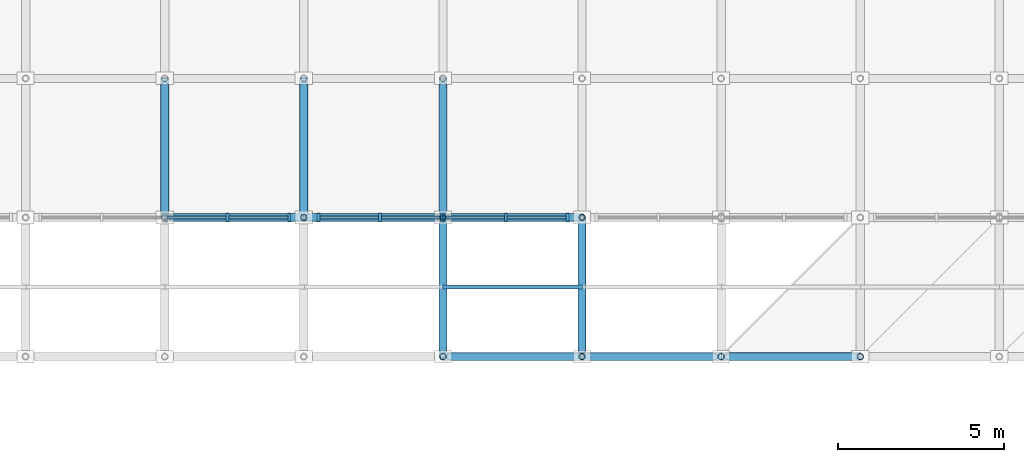
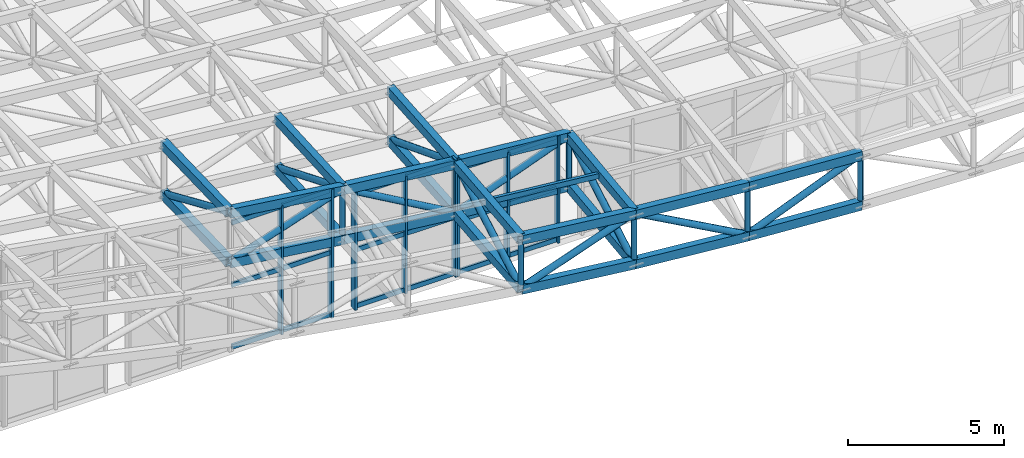
# One storey, part 24 of 111: 67 members, 3 elements without a shape of their own.
"""IFC4 building model written with IfcOpenShell, lengths in metres."""

from ifc_helpers import new_model, si_unit, direction, frame, origin, origin_2d, place, context, subcontext, project, spatial, rectangle, hollow_rectangle, hollow_circle, extrude, material, material_profile, profile_set, type_object, element, aggregate, save


model = new_model("IFC4")

# Units and contexts
model_context = context("Model", 3, precision=1e-05, world=origin(), true_north=direction((0.0, 1.0)))
body_context = subcontext(model_context, "Body", "Model", "MODEL_VIEW")
ifc_project = project(units=[si_unit("LENGTHUNIT", "METRE"), si_unit("AREAUNIT", "SQUARE_METRE"), si_unit("VOLUMEUNIT", "CUBIC_METRE"), si_unit("PLANEANGLEUNIT", "RADIAN"), si_unit("MASSUNIT", "GRAM", prefix="KILO")], contexts=[model_context])

# Site, building, storey
site_placement = place(None, origin())
site = spatial("IfcSite", under=ifc_project, at=site_placement, CompositionType="ELEMENT")
building_placement = place(site_placement, origin())
building = spatial("IfcBuilding", under=site, at=building_placement, Name="Cumbredor Promenade Congress Hotel", CompositionType="ELEMENT")
storey_placement = place(building_placement, frame((0.0, 0.0, 15.1201171875)))
storey = spatial("IfcBuildingStorey", under=building, at=storey_placement, Name="L04", CompositionType="ELEMENT", Elevation=15.1201171875)

# Curtain wall, members
ifc_material_1 = material(Name="Thermally broken anodized aluminium and low-E glass", Category="aluminium")
curtain_wall_type = type_object("IfcCurtainWallType", Name="Stepped Pavilion Clerestory Curtain Wall CW-06", PredefinedType="NOTDEFINED", material=ifc_material_1)
curtain_wall_1_placement = place(storey_placement, origin())
curtain_wall_1 = element("IfcCurtainWall", 1, at=curtain_wall_1_placement, inside=storey, type_object=curtain_wall_type, Name="Pre-Function and Breakout Meeting Forum S Glazed Clerestory 4", PredefinedType="NOTDEFINED")
ifc_material_2 = material(Name="Thermally broken anodized aluminium", Category="aluminium")
ifc_material_profile_1 = material_profile(ifc_material_2, rectangle(XDim=0.0849609375, YDim=0.260009765625, at=origin_2d()), Name="ALU MULLION CLERESTORY 85x260")
ifc_profile_set_1 = profile_set([ifc_material_profile_1], Name="Thermally broken anodized aluminium")
member_type_1 = type_object("IfcMemberType", Name="Curtain Wall Mullion ML-04", PredefinedType="MULLION", material=ifc_profile_set_1)
member_1_placement = place(storey_placement, frame((106.89990234375, 84.0, -0.01806640625), z_axis=(0.0, 0.0, 1.0), x_axis=(1.0, 0.0, 0.0)))
member_1 = element("IfcMember", 2, at=member_1_placement, type_object=member_type_1, Name="Pre-Function and Breakout Meeting Forum S Glazed Clerestory 4 Mullion 2", PredefinedType="MULLION", context=body_context, shape_type="SweptSolid", body=[
    extrude(rectangle(XDim=0.0849609375, YDim=0.260009765625, at=origin_2d()), origin(), (0.0, 0.0, 1.0), 5.064453125),
])
member_2_placement = place(storey_placement, frame((108.760009765625, 84.0, -0.01806640625), z_axis=(0.0, 0.0, 1.0), x_axis=(1.0, 0.0, 0.0)))
member_2 = element("IfcMember", 3, at=member_2_placement, type_object=member_type_1, Name="Pre-Function and Breakout Meeting Forum S Glazed Clerestory 4 Mullion 3", PredefinedType="MULLION", context=body_context, shape_type="SweptSolid", body=[
    extrude(rectangle(XDim=0.0849609375, YDim=0.260009765625, at=origin_2d()), origin(), (0.0, 0.0, 1.0), 5.064453125),
])

curtain_wall_2_placement = place(storey_placement, origin())
curtain_wall_2 = element("IfcCurtainWall", 4, at=curtain_wall_2_placement, inside=storey, type_object=curtain_wall_type, Name="Pre-Function and Breakout Meeting Forum S Glazed Clerestory 5", PredefinedType="NOTDEFINED")
member_3_placement = place(storey_placement, frame((109.639892578125, 84.0, -0.01806640625), z_axis=(0.0, 0.0, 1.0), x_axis=(1.0, 0.0, 0.0)))
member_3 = element("IfcMember", 5, at=member_3_placement, type_object=member_type_1, Name="Pre-Function and Breakout Meeting Forum S Glazed Clerestory 5 Mullion 1", PredefinedType="MULLION", context=body_context, shape_type="SweptSolid", body=[
    extrude(rectangle(XDim=0.0849609375, YDim=0.260009765625, at=origin_2d()), origin(), (0.0, 0.0, 1.0), 4.600830078125),
])
member_4_placement = place(storey_placement, frame((111.5, 84.0, -0.01806640625), z_axis=(0.0, 0.0, 1.0), x_axis=(1.0, 0.0, 0.0)))
member_4 = element("IfcMember", 6, at=member_4_placement, type_object=member_type_1, Name="Pre-Function and Breakout Meeting Forum S Glazed Clerestory 5 Mullion 2", PredefinedType="MULLION", context=body_context, shape_type="SweptSolid", body=[
    extrude(rectangle(XDim=0.0849609375, YDim=0.260009765625, at=origin_2d()), origin(), (0.0, 0.0, 1.0), 4.600830078125),
])
member_5_placement = place(storey_placement, frame((113.360107421875, 84.0, -0.01806640625), z_axis=(0.0, 0.0, 1.0), x_axis=(1.0, 0.0, 0.0)))
member_5 = element("IfcMember", 7, at=member_5_placement, type_object=member_type_1, Name="Pre-Function and Breakout Meeting Forum S Glazed Clerestory 5 Mullion 3", PredefinedType="MULLION", context=body_context, shape_type="SweptSolid", body=[
    extrude(rectangle(XDim=0.0849609375, YDim=0.260009765625, at=origin_2d()), origin(), (0.0, 0.0, 1.0), 4.600830078125),
])

curtain_wall_3_placement = place(storey_placement, origin())
curtain_wall_3 = element("IfcCurtainWall", 8, at=curtain_wall_3_placement, inside=storey, type_object=curtain_wall_type, Name="Pre-Function and Breakout Meeting Forum S Glazed Clerestory 6", PredefinedType="NOTDEFINED")
member_6_placement = place(storey_placement, frame((113.43994140625, 84.0, -0.01806640625), z_axis=(0.0, 0.0, 1.0), x_axis=(1.0, 0.0, 0.0)))
member_6 = element("IfcMember", 9, at=member_6_placement, type_object=member_type_1, Name="Pre-Function and Breakout Meeting Forum S Glazed Clerestory 6 Mullion 1", PredefinedType="MULLION", context=body_context, shape_type="SweptSolid", body=[
    extrude(rectangle(XDim=0.0849609375, YDim=0.260009765625, at=origin_2d()), origin(), (0.0, 0.0, 1.0), 4.221435546875),
])
member_7_placement = place(storey_placement, frame((115.300048828125, 84.0, -0.01806640625), z_axis=(0.0, 0.0, 1.0), x_axis=(1.0, 0.0, 0.0)))
member_7 = element("IfcMember", 10, at=member_7_placement, type_object=member_type_1, Name="Pre-Function and Breakout Meeting Forum S Glazed Clerestory 6 Mullion 2", PredefinedType="MULLION", context=body_context, shape_type="SweptSolid", body=[
    extrude(rectangle(XDim=0.0849609375, YDim=0.260009765625, at=origin_2d()), origin(), (0.0, 0.0, 1.0), 4.221435546875),
])
member_8_placement = place(storey_placement, frame((117.159912109375, 84.0, -0.01806640625), z_axis=(0.0, 0.0, 1.0), x_axis=(1.0, 0.0, 0.0)))
member_8 = element("IfcMember", 11, at=member_8_placement, type_object=member_type_1, Name="Pre-Function and Breakout Meeting Forum S Glazed Clerestory 6 Mullion 3", PredefinedType="MULLION", context=body_context, shape_type="SweptSolid", body=[
    extrude(rectangle(XDim=0.0849609375, YDim=0.260009765625, at=origin_2d()), origin(), (0.0, 0.0, 1.0), 4.221435546875),
])

# Member
ifc_material_profile_2 = material_profile(ifc_material_2, rectangle(XDim=0.080078125, YDim=0.179931640625, at=origin_2d()), Name="ALU TRANSOM 80x180")
ifc_profile_set_2 = profile_set([ifc_material_profile_2], Name="Thermally broken anodized aluminium")
member_type_2 = type_object("IfcMemberType", Name="Curtain Wall Transom TR-03", PredefinedType="USERDEFINED", material=ifc_profile_set_2)
member_9_placement = place(storey_placement, frame((105.08251953125, 84.0, 0.079833984375), z_axis=(1.0, 0.0, 0.0), x_axis=(0.0, 1.0, 0.0)))
member_9 = element("IfcMember", 12, at=member_9_placement, type_object=member_type_2, Name="Pre-Function and Breakout Meeting Forum S Glazed Clerestory 4 Transom 1.1", ObjectType="TRANSOM", PredefinedType="USERDEFINED", context=body_context, shape_type="SweptSolid", body=[
    extrude(rectangle(XDim=0.080078125, YDim=0.179931640625, at=origin_2d()), origin(), (0.0, 0.0, 1.0), 1.77490234375),
])

member_10_placement = place(storey_placement, frame((105.08251953125, 84.0, 2.509765625), z_axis=(1.0, 0.0, 0.0), x_axis=(0.0, 1.0, 0.0)))
member_10 = element("IfcMember", 13, at=member_10_placement, type_object=member_type_2, Name="Pre-Function and Breakout Meeting Forum S Glazed Clerestory 4 Transom 1.2", ObjectType="TRANSOM", PredefinedType="USERDEFINED", context=body_context, shape_type="SweptSolid", body=[
    extrude(rectangle(XDim=0.080078125, YDim=0.179931640625, at=origin_2d()), origin(), (0.0, 0.0, 1.0), 1.77490234375),
])

member_11_placement = place(storey_placement, frame((105.08251953125, 84.0, 4.949951171875), z_axis=(1.0, 0.0, 0.0), x_axis=(0.0, 1.0, 0.0)))
member_11 = element("IfcMember", 14, at=member_11_placement, type_object=member_type_2, Name="Pre-Function and Breakout Meeting Forum S Glazed Clerestory 4 Transom 1.3", ObjectType="TRANSOM", PredefinedType="USERDEFINED", context=body_context, shape_type="SweptSolid", body=[
    extrude(rectangle(XDim=0.080078125, YDim=0.179931640625, at=origin_2d()), origin(), (0.0, 0.0, 1.0), 1.77490234375),
])

member_12_placement = place(storey_placement, frame((106.9423828125, 84.0, 0.079833984375), z_axis=(1.0, 0.0, 0.0), x_axis=(0.0, 1.0, 0.0)))
member_12 = element("IfcMember", 15, at=member_12_placement, type_object=member_type_2, Name="Pre-Function and Breakout Meeting Forum S Glazed Clerestory 4 Transom 2.1", ObjectType="TRANSOM", PredefinedType="USERDEFINED", context=body_context, shape_type="SweptSolid", body=[
    extrude(rectangle(XDim=0.080078125, YDim=0.179931640625, at=origin_2d()), origin(), (0.0, 0.0, 1.0), 1.775146484375),
])

member_13_placement = place(storey_placement, frame((106.9423828125, 84.0, 2.509765625), z_axis=(1.0, 0.0, 0.0), x_axis=(0.0, 1.0, 0.0)))
member_13 = element("IfcMember", 16, at=member_13_placement, type_object=member_type_2, Name="Pre-Function and Breakout Meeting Forum S Glazed Clerestory 4 Transom 2.2", ObjectType="TRANSOM", PredefinedType="USERDEFINED", context=body_context, shape_type="SweptSolid", body=[
    extrude(rectangle(XDim=0.080078125, YDim=0.179931640625, at=origin_2d()), origin(), (0.0, 0.0, 1.0), 1.775146484375),
])

member_14_placement = place(storey_placement, frame((106.9423828125, 84.0, 4.949951171875), z_axis=(1.0, 0.0, 0.0), x_axis=(0.0, 1.0, 0.0)))
member_14 = element("IfcMember", 17, at=member_14_placement, type_object=member_type_2, Name="Pre-Function and Breakout Meeting Forum S Glazed Clerestory 4 Transom 2.3", ObjectType="TRANSOM", PredefinedType="USERDEFINED", context=body_context, shape_type="SweptSolid", body=[
    extrude(rectangle(XDim=0.080078125, YDim=0.179931640625, at=origin_2d()), origin(), (0.0, 0.0, 1.0), 1.775146484375),
])

aggregate(curtain_wall_1, [member_1, member_2, member_9, member_10, member_11, member_12, member_13, member_14])

member_15_placement = place(storey_placement, frame((109.6826171875, 84.0, 0.079833984375), z_axis=(1.0, 0.0, 0.0), x_axis=(0.0, 1.0, 0.0)))
member_15 = element("IfcMember", 18, at=member_15_placement, type_object=member_type_2, Name="Pre-Function and Breakout Meeting Forum S Glazed Clerestory 5 Transom 1.1", ObjectType="TRANSOM", PredefinedType="USERDEFINED", context=body_context, shape_type="SweptSolid", body=[
    extrude(rectangle(XDim=0.080078125, YDim=0.179931640625, at=origin_2d()), origin(), (0.0, 0.0, 1.0), 1.77490234375),
])

member_16_placement = place(storey_placement, frame((109.6826171875, 84.0, 2.27978515625), z_axis=(1.0, 0.0, 0.0), x_axis=(0.0, 1.0, 0.0)))
member_16 = element("IfcMember", 19, at=member_16_placement, type_object=member_type_2, Name="Pre-Function and Breakout Meeting Forum S Glazed Clerestory 5 Transom 1.2", ObjectType="TRANSOM", PredefinedType="USERDEFINED", context=body_context, shape_type="SweptSolid", body=[
    extrude(rectangle(XDim=0.080078125, YDim=0.179931640625, at=origin_2d()), origin(), (0.0, 0.0, 1.0), 1.77490234375),
])

member_17_placement = place(storey_placement, frame((109.6826171875, 84.0, 4.47998046875), z_axis=(1.0, 0.0, 0.0), x_axis=(0.0, 1.0, 0.0)))
member_17 = element("IfcMember", 20, at=member_17_placement, type_object=member_type_2, Name="Pre-Function and Breakout Meeting Forum S Glazed Clerestory 5 Transom 1.3", ObjectType="TRANSOM", PredefinedType="USERDEFINED", context=body_context, shape_type="SweptSolid", body=[
    extrude(rectangle(XDim=0.080078125, YDim=0.179931640625, at=origin_2d()), origin(), (0.0, 0.0, 1.0), 1.77490234375),
])

member_18_placement = place(storey_placement, frame((111.54248046875, 84.0, 0.079833984375), z_axis=(1.0, 0.0, 0.0), x_axis=(0.0, 1.0, 0.0)))
member_18 = element("IfcMember", 21, at=member_18_placement, type_object=member_type_2, Name="Pre-Function and Breakout Meeting Forum S Glazed Clerestory 5 Transom 2.1", ObjectType="TRANSOM", PredefinedType="USERDEFINED", context=body_context, shape_type="SweptSolid", body=[
    extrude(rectangle(XDim=0.080078125, YDim=0.179931640625, at=origin_2d()), origin(), (0.0, 0.0, 1.0), 1.77490234375),
])

member_19_placement = place(storey_placement, frame((111.54248046875, 84.0, 2.27978515625), z_axis=(1.0, 0.0, 0.0), x_axis=(0.0, 1.0, 0.0)))
member_19 = element("IfcMember", 22, at=member_19_placement, type_object=member_type_2, Name="Pre-Function and Breakout Meeting Forum S Glazed Clerestory 5 Transom 2.2", ObjectType="TRANSOM", PredefinedType="USERDEFINED", context=body_context, shape_type="SweptSolid", body=[
    extrude(rectangle(XDim=0.080078125, YDim=0.179931640625, at=origin_2d()), origin(), (0.0, 0.0, 1.0), 1.77490234375),
])

member_20_placement = place(storey_placement, frame((111.54248046875, 84.0, 4.47998046875), z_axis=(1.0, 0.0, 0.0), x_axis=(0.0, 1.0, 0.0)))
member_20 = element("IfcMember", 23, at=member_20_placement, type_object=member_type_2, Name="Pre-Function and Breakout Meeting Forum S Glazed Clerestory 5 Transom 2.3", ObjectType="TRANSOM", PredefinedType="USERDEFINED", context=body_context, shape_type="SweptSolid", body=[
    extrude(rectangle(XDim=0.080078125, YDim=0.179931640625, at=origin_2d()), origin(), (0.0, 0.0, 1.0), 1.77490234375),
])

aggregate(curtain_wall_2, [member_3, member_4, member_5, member_15, member_16, member_17, member_18, member_19, member_20])

member_21_placement = place(storey_placement, frame((113.482421875, 84.0, 0.079833984375), z_axis=(1.0, 0.0, 0.0), x_axis=(0.0, 1.0, 0.0)))
member_21 = element("IfcMember", 24, at=member_21_placement, type_object=member_type_2, Name="Pre-Function and Breakout Meeting Forum S Glazed Clerestory 6 Transom 1.1", ObjectType="TRANSOM", PredefinedType="USERDEFINED", context=body_context, shape_type="SweptSolid", body=[
    extrude(rectangle(XDim=0.080078125, YDim=0.179931640625, at=origin_2d()), origin(), (0.0, 0.0, 1.0), 1.775146484375),
])

member_22_placement = place(storey_placement, frame((113.482421875, 84.0, 2.08984375), z_axis=(1.0, 0.0, 0.0), x_axis=(0.0, 1.0, 0.0)))
member_22 = element("IfcMember", 25, at=member_22_placement, type_object=member_type_2, Name="Pre-Function and Breakout Meeting Forum S Glazed Clerestory 6 Transom 1.2", ObjectType="TRANSOM", PredefinedType="USERDEFINED", context=body_context, shape_type="SweptSolid", body=[
    extrude(rectangle(XDim=0.080078125, YDim=0.179931640625, at=origin_2d()), origin(), (0.0, 0.0, 1.0), 1.775146484375),
])

member_23_placement = place(storey_placement, frame((113.482421875, 84.0, 4.10986328125), z_axis=(1.0, 0.0, 0.0), x_axis=(0.0, 1.0, 0.0)))
member_23 = element("IfcMember", 26, at=member_23_placement, type_object=member_type_2, Name="Pre-Function and Breakout Meeting Forum S Glazed Clerestory 6 Transom 1.3", ObjectType="TRANSOM", PredefinedType="USERDEFINED", context=body_context, shape_type="SweptSolid", body=[
    extrude(rectangle(XDim=0.080078125, YDim=0.179931640625, at=origin_2d()), origin(), (0.0, 0.0, 1.0), 1.775146484375),
])

member_24_placement = place(storey_placement, frame((115.342529296875, 84.0, 0.079833984375), z_axis=(1.0, 0.0, 0.0), x_axis=(0.0, 1.0, 0.0)))
member_24 = element("IfcMember", 27, at=member_24_placement, type_object=member_type_2, Name="Pre-Function and Breakout Meeting Forum S Glazed Clerestory 6 Transom 2.1", ObjectType="TRANSOM", PredefinedType="USERDEFINED", context=body_context, shape_type="SweptSolid", body=[
    extrude(rectangle(XDim=0.080078125, YDim=0.179931640625, at=origin_2d()), origin(), (0.0, 0.0, 1.0), 1.77490234375),
])

member_25_placement = place(storey_placement, frame((115.342529296875, 84.0, 2.08984375), z_axis=(1.0, 0.0, 0.0), x_axis=(0.0, 1.0, 0.0)))
member_25 = element("IfcMember", 28, at=member_25_placement, type_object=member_type_2, Name="Pre-Function and Breakout Meeting Forum S Glazed Clerestory 6 Transom 2.2", ObjectType="TRANSOM", PredefinedType="USERDEFINED", context=body_context, shape_type="SweptSolid", body=[
    extrude(rectangle(XDim=0.080078125, YDim=0.179931640625, at=origin_2d()), origin(), (0.0, 0.0, 1.0), 1.77490234375),
])

member_26_placement = place(storey_placement, frame((115.342529296875, 84.0, 4.10986328125), z_axis=(1.0, 0.0, 0.0), x_axis=(0.0, 1.0, 0.0)))
member_26 = element("IfcMember", 29, at=member_26_placement, type_object=member_type_2, Name="Pre-Function and Breakout Meeting Forum S Glazed Clerestory 6 Transom 2.3", ObjectType="TRANSOM", PredefinedType="USERDEFINED", context=body_context, shape_type="SweptSolid", body=[
    extrude(rectangle(XDim=0.080078125, YDim=0.179931640625, at=origin_2d()), origin(), (0.0, 0.0, 1.0), 1.77490234375),
])

aggregate(curtain_wall_3, [member_6, member_7, member_8, member_21, member_22, member_23, member_24, member_25, member_26])

# Members
ifc_material_3 = material(Name="Steel ASTM A500 Grade C", Category="steel")
ifc_material_profile_3 = material_profile(ifc_material_3, hollow_rectangle(XDim=0.25, YDim=0.35009765625, WallThickness=0.01611328125, at=origin_2d()), Name="HSS 350x250x16")
ifc_profile_set_3 = profile_set([ifc_material_profile_3], Name="Steel ASTM A500 Grade C")
member_type_3 = type_object("IfcMemberType", Name="Forum Roof Truss Chord", PredefinedType="CHORD", material=ifc_profile_set_3)
for number, where, z_axis, x_axis, name in (
    (30, (113.39990234375, 79.800048828125, 3.965576171875), (0.993644073338, 0.0, -0.112567559808), (0.0, 1.0, 0.0), "Pre-Function and Breakout Meeting Forum X Top Chord 7.1"),
    (31, (113.39990234375, 79.800048828125, 2.015625), (0.993644073338, 0.0, -0.112567559808), (0.0, 1.0, 0.0), "Pre-Function and Breakout Meeting Forum X Bottom Chord 7.1"),
):
    element("IfcMember", number, at=place(storey_placement, frame(where, z_axis=z_axis, x_axis=x_axis)), inside=storey, type_object=member_type_3, Name=name, PredefinedType="CHORD", context=body_context, shape_type="SweptSolid", body=[
        extrude(hollow_rectangle(XDim=0.25, YDim=0.35009765625, WallThickness=0.01611328125, at=origin_2d()), origin(), (0.0, 0.0, 1.0), 4.22705078125),
    ])
for number, where, z_axis, x_axis, name in (
    (32, (117.60009765625, 79.800048828125, 3.48974609375), (0.996134471083, 0.0, -0.087841422579), (0.0, 1.0, 0.0), "Pre-Function and Breakout Meeting Forum X Top Chord 8.1"),
    (33, (117.60009765625, 79.800048828125, 1.539794921875), (0.996134471083, 0.0, -0.087841422579), (0.0, 1.0, 0.0), "Pre-Function and Breakout Meeting Forum X Bottom Chord 8.1"),
):
    element("IfcMember", number, at=place(storey_placement, frame(where, z_axis=z_axis, x_axis=x_axis)), inside=storey, type_object=member_type_3, Name=name, PredefinedType="CHORD", context=body_context, shape_type="SweptSolid", body=[
        extrude(hollow_rectangle(XDim=0.25, YDim=0.35009765625, WallThickness=0.01611328125, at=origin_2d()), origin(), (0.0, 0.0, 1.0), 4.21630859375),
    ])
for number, where, z_axis, x_axis, name in (
    (34, (121.800048828125, 79.800048828125, 3.119384765625), (0.998024259177, 0.0, -0.06282975485), (0.0, 1.0, 0.0), "Pre-Function and Breakout Meeting Forum X Top Chord 9.1"),
    (35, (121.800048828125, 79.800048828125, 1.16943359375), (0.998024259177, 0.0, -0.06282975485), (0.0, 1.0, 0.0), "Pre-Function and Breakout Meeting Forum X Bottom Chord 9.1"),
):
    element("IfcMember", number, at=place(storey_placement, frame(where, z_axis=z_axis, x_axis=x_axis)), inside=storey, type_object=member_type_3, Name=name, PredefinedType="CHORD", context=body_context, shape_type="SweptSolid", body=[
        extrude(hollow_rectangle(XDim=0.25, YDim=0.35009765625, WallThickness=0.01611328125, at=origin_2d()), origin(), (0.0, 0.0, 1.0), 4.208251953125),
    ])
for number, where, z_axis, x_axis, name in (
    (36, (105.0, 84.0, 5.39306640625), (0.991606838382, 0.0, -0.129289899348), (0.0, 1.0, 0.0), "Pre-Function and Breakout Meeting Forum X Top Chord 5.2"),
    (37, (105.0, 84.0, 3.443115234375), (0.991599446903, 0.0, -0.129346576693), (0.0, 1.0, 0.0), "Pre-Function and Breakout Meeting Forum X Bottom Chord 5.2"),
):
    element("IfcMember", number, at=place(storey_placement, frame(where, z_axis=z_axis, x_axis=x_axis)), inside=storey, type_object=member_type_3, Name=name, PredefinedType="CHORD", context=body_context, shape_type="SweptSolid", body=[
        extrude(hollow_rectangle(XDim=0.25, YDim=0.35009765625, WallThickness=0.01611328125, at=origin_2d()), origin(), (0.0, 0.0, 1.0), 4.235595703125),
    ])
for number, where, z_axis, x_axis, name in (
    (38, (109.199951171875, 84.0, 4.845458984375), (0.993962397778, 0.0, -0.109721245909), (0.0, 1.0, 0.0), "Pre-Function and Breakout Meeting Forum X Top Chord 6.2"),
    (39, (109.199951171875, 84.0, 2.895263671875), (0.993968697425, 0.0, -0.109664162513), (0.0, 1.0, 0.0), "Pre-Function and Breakout Meeting Forum X Bottom Chord 6.2"),
):
    element("IfcMember", number, at=place(storey_placement, frame(where, z_axis=z_axis, x_axis=x_axis)), inside=storey, type_object=member_type_3, Name=name, PredefinedType="CHORD", context=body_context, shape_type="SweptSolid", body=[
        extrude(hollow_rectangle(XDim=0.25, YDim=0.35009765625, WallThickness=0.01611328125, at=origin_2d()), origin(), (0.0, 0.0, 1.0), 4.225341796875),
    ])
for number, where, z_axis, x_axis, name in (
    (40, (113.39990234375, 84.0, 4.3818359375), (0.995945237158, 0.0, -0.089961572805), (0.0, 1.0, 0.0), "Pre-Function and Breakout Meeting Forum X Top Chord 7.2"),
    (41, (113.39990234375, 84.0, 2.431884765625), (0.995945237158, 0.0, -0.089961572805), (0.0, 1.0, 0.0), "Pre-Function and Breakout Meeting Forum X Bottom Chord 7.2"),
):
    element("IfcMember", number, at=place(storey_placement, frame(where, z_axis=z_axis, x_axis=x_axis)), inside=storey, type_object=member_type_3, Name=name, PredefinedType="CHORD", context=body_context, shape_type="SweptSolid", body=[
        extrude(hollow_rectangle(XDim=0.25, YDim=0.35009765625, WallThickness=0.01611328125, at=origin_2d()), origin(), (0.0, 0.0, 1.0), 4.21728515625),
    ])
for number, where, z_axis, x_axis, name in (
    (42, (105.0, 84.0, 5.39306640625), (0.0, 0.999552199791, 0.029923233325), (-1.0, 0.0, 0.0), "Pre-Function and Breakout Meeting Forum Y Top Chord 5.2"),
    (43, (105.0, 84.0, 3.443115234375), (0.0, 0.99955393597, 0.029865181834), (-1.0, 0.0, 0.0), "Pre-Function and Breakout Meeting Forum Y Bottom Chord 5.2"),
):
    element("IfcMember", number, at=place(storey_placement, frame(where, z_axis=z_axis, x_axis=x_axis)), inside=storey, type_object=member_type_3, Name=name, PredefinedType="CHORD", context=body_context, shape_type="SweptSolid", body=[
        extrude(hollow_rectangle(XDim=0.25, YDim=0.35009765625, WallThickness=0.01611328125, at=origin_2d()), origin(), (0.0, 0.0, 1.0), 4.201904296875),
    ])
for number, where, z_axis, x_axis, name in (
    (44, (109.199951171875, 84.0, 4.845458984375), (0.0, 0.998456243046, 0.055543953066), (-1.0, 0.0, 0.0), "Pre-Function and Breakout Meeting Forum Y Top Chord 6.2"),
    (45, (109.199951171875, 84.0, 2.895263671875), (0.0, 0.998456243046, 0.055543953066), (-1.0, 0.0, 0.0), "Pre-Function and Breakout Meeting Forum Y Bottom Chord 6.2"),
):
    element("IfcMember", number, at=place(storey_placement, frame(where, z_axis=z_axis, x_axis=x_axis)), inside=storey, type_object=member_type_3, Name=name, PredefinedType="CHORD", context=body_context, shape_type="SweptSolid", body=[
        extrude(hollow_rectangle(XDim=0.25, YDim=0.35009765625, WallThickness=0.01611328125, at=origin_2d()), origin(), (0.0, 0.0, 1.0), 4.20654296875),
    ])
for number, where, z_axis, x_axis, name in (
    (46, (113.39990234375, 79.800048828125, 3.965576171875), (0.0, 0.995124432433, 0.098627399715), (-1.0, 0.0, 0.0), "Pre-Function and Breakout Meeting Forum Y Top Chord 7.1"),
    (47, (113.39990234375, 79.800048828125, 2.015625), (0.0, 0.995124432433, 0.098627399715), (-1.0, 0.0, 0.0), "Pre-Function and Breakout Meeting Forum Y Bottom Chord 7.1"),
):
    element("IfcMember", number, at=place(storey_placement, frame(where, z_axis=z_axis, x_axis=x_axis)), inside=storey, type_object=member_type_3, Name=name, PredefinedType="CHORD", context=body_context, shape_type="SweptSolid", body=[
        extrude(hollow_rectangle(XDim=0.25, YDim=0.35009765625, WallThickness=0.01611328125, at=origin_2d()), origin(), (0.0, 0.0, 1.0), 4.220458984375),
    ])
for number, where, z_axis, x_axis, name in (
    (48, (113.39990234375, 84.0, 4.3818359375), (0.0, 0.997020295126, 0.077139685683), (-1.0, 0.0, 0.0), "Pre-Function and Breakout Meeting Forum Y Top Chord 7.2"),
    (49, (113.39990234375, 84.0, 2.431884765625), (0.0, 0.997020295126, 0.077139685683), (-1.0, 0.0, 0.0), "Pre-Function and Breakout Meeting Forum Y Bottom Chord 7.2"),
):
    element("IfcMember", number, at=place(storey_placement, frame(where, z_axis=z_axis, x_axis=x_axis)), inside=storey, type_object=member_type_3, Name=name, PredefinedType="CHORD", context=body_context, shape_type="SweptSolid", body=[
        extrude(hollow_rectangle(XDim=0.25, YDim=0.35009765625, WallThickness=0.01611328125, at=origin_2d()), origin(), (0.0, 0.0, 1.0), 4.21240234375),
    ])
for number, where, z_axis, x_axis, name in (
    (50, (117.60009765625, 79.800048828125, 3.48974609375), (0.0, 0.992631496019, 0.121172245634), (-1.0, 0.0, 0.0), "Pre-Function and Breakout Meeting Forum Y Top Chord 8.1"),
    (51, (117.60009765625, 79.800048828125, 1.539794921875), (0.0, 0.992631496019, 0.121172245634), (-1.0, 0.0, 0.0), "Pre-Function and Breakout Meeting Forum Y Bottom Chord 8.1"),
):
    element("IfcMember", number, at=place(storey_placement, frame(where, z_axis=z_axis, x_axis=x_axis)), inside=storey, type_object=member_type_3, Name=name, PredefinedType="CHORD", context=body_context, shape_type="SweptSolid", body=[
        extrude(hollow_rectangle(XDim=0.25, YDim=0.35009765625, WallThickness=0.01611328125, at=origin_2d()), origin(), (0.0, 0.0, 1.0), 4.231201171875),
    ])
ifc_material_profile_4 = material_profile(ifc_material_3, hollow_rectangle(XDim=0.1201171875, YDim=0.199951171875, WallThickness=0.010009765625, at=origin_2d()), Name="HSS 200x120x10")
ifc_profile_set_4 = profile_set([ifc_material_profile_4], Name="Steel ASTM A500 Grade C")
member_type_4 = type_object("IfcMemberType", Name="Roof Purlin HSS200x120", PredefinedType="PURLIN", material=ifc_profile_set_4)
member_27_placement = place(storey_placement, frame((113.39990234375, 81.89990234375, 4.153564453125), z_axis=(0.994860448343, 0.0, -0.101255559466), x_axis=(0.0, 1.0, 0.0)))
element("IfcMember", 52, at=member_27_placement, inside=storey, type_object=member_type_4, Name="Pre-Function and Breakout Meeting Forum Roof Eave Purlin 7.1", PredefinedType="PURLIN", context=body_context, shape_type="SweptSolid", body=[
    extrude(hollow_rectangle(XDim=0.1201171875, YDim=0.199951171875, WallThickness=0.010009765625, at=origin_2d()), origin(), (0.0, 0.0, 1.0), 4.221923828125),
])
ifc_material_profile_5 = material_profile(ifc_material_3, hollow_circle(Radius=0.122314453125, WallThickness=0.012451171875, at=origin_2d()), Name="CHS 244.5x12.5")
ifc_profile_set_5 = profile_set([ifc_material_profile_5], Name="Steel ASTM A500 Grade C")
member_type_5 = type_object("IfcMemberType", Name="Space Frame Web Diagonal D2", PredefinedType="BRACE", material=ifc_profile_set_5)
member_28_placement = place(storey_placement, frame((113.39990234375, 79.800048828125, 2.015625), z_axis=(0.943574126838, 0.0, 0.331161391412), x_axis=(0.0, 1.0, 0.0)))
element("IfcMember", 53, at=member_28_placement, inside=storey, type_object=member_type_5, Name="Pre-Function and Breakout Meeting Forum X Web Diagonal 7.1", PredefinedType="BRACE", context=body_context, shape_type="SweptSolid", body=[
    extrude(hollow_circle(Radius=0.122314453125, WallThickness=0.012451171875, at=origin_2d()), origin(), (0.0, 0.0, 1.0), 4.451416015625),
])
member_29_placement = place(storey_placement, frame((117.60009765625, 79.800048828125, 3.48974609375), z_axis=(0.875304447621, 0.0, -0.483572253107), x_axis=(0.0, 1.0, 0.0)))
element("IfcMember", 54, at=member_29_placement, inside=storey, type_object=member_type_5, Name="Pre-Function and Breakout Meeting Forum X Web Diagonal 8.1", PredefinedType="BRACE", context=body_context, shape_type="SweptSolid", body=[
    extrude(hollow_circle(Radius=0.122314453125, WallThickness=0.012451171875, at=origin_2d()), origin(), (0.0, 0.0, 1.0), 4.79833984375),
])
member_30_placement = place(storey_placement, frame((121.800048828125, 79.800048828125, 1.16943359375), z_axis=(0.928051949605, 0.0, 0.372450773706), x_axis=(0.0, 1.0, 0.0)))
element("IfcMember", 55, at=member_30_placement, inside=storey, type_object=member_type_5, Name="Pre-Function and Breakout Meeting Forum X Web Diagonal 9.1", PredefinedType="BRACE", context=body_context, shape_type="SweptSolid", body=[
    extrude(hollow_circle(Radius=0.122314453125, WallThickness=0.012451171875, at=origin_2d()), origin(), (0.0, 0.0, 1.0), 4.525634765625),
])
member_31_placement = place(storey_placement, frame((105.0, 84.0, 3.443115234375), z_axis=(0.948523279227, 0.0, 0.316707418234), x_axis=(0.0, 1.0, 0.0)))
element("IfcMember", 56, at=member_31_placement, inside=storey, type_object=member_type_5, Name="Pre-Function and Breakout Meeting Forum X Web Diagonal 5.2", PredefinedType="BRACE", context=body_context, shape_type="SweptSolid", body=[
    extrude(hollow_circle(Radius=0.122314453125, WallThickness=0.012451171875, at=origin_2d()), origin(), (0.0, 0.0, 1.0), 4.427978515625),
])
member_32_placement = place(storey_placement, frame((109.199951171875, 84.0, 4.845458984375), z_axis=(0.867030962047, 0.0, -0.498254263256), x_axis=(0.0, 1.0, 0.0)))
element("IfcMember", 57, at=member_32_placement, inside=storey, type_object=member_type_5, Name="Pre-Function and Breakout Meeting Forum X Web Diagonal 6.2", PredefinedType="BRACE", context=body_context, shape_type="SweptSolid", body=[
    extrude(hollow_circle(Radius=0.122314453125, WallThickness=0.012451171875, at=origin_2d()), origin(), (0.0, 0.0, 1.0), 4.843994140625),
])
member_33_placement = place(storey_placement, frame((113.39990234375, 84.0, 2.431884765625), z_axis=(0.936659901907, 0.0, 0.350240243488), x_axis=(0.0, 1.0, 0.0)))
element("IfcMember", 58, at=member_33_placement, inside=storey, type_object=member_type_5, Name="Pre-Function and Breakout Meeting Forum X Web Diagonal 7.2", PredefinedType="BRACE", context=body_context, shape_type="SweptSolid", body=[
    extrude(hollow_circle(Radius=0.122314453125, WallThickness=0.012451171875, at=origin_2d()), origin(), (0.0, 0.0, 1.0), 4.484130859375),
])
member_34_placement = place(storey_placement, frame((105.0, 84.0, 5.39306640625), z_axis=(0.0, 0.917198001708, -0.398431707653), x_axis=(-1.0, 0.0, 0.0)))
element("IfcMember", 59, at=member_34_placement, inside=storey, type_object=member_type_5, Name="Pre-Function and Breakout Meeting Forum Y Web Diagonal 5.2", PredefinedType="BRACE", context=body_context, shape_type="SweptSolid", body=[
    extrude(hollow_circle(Radius=0.122314453125, WallThickness=0.012451171875, at=origin_2d()), origin(), (0.0, 0.0, 1.0), 4.5791015625),
])
member_35_placement = place(storey_placement, frame((109.199951171875, 84.0, 4.845458984375), z_axis=(0.0, 0.925671190173, -0.37832902041), x_axis=(-1.0, 0.0, 0.0)))
element("IfcMember", 60, at=member_35_placement, inside=storey, type_object=member_type_5, Name="Pre-Function and Breakout Meeting Forum Y Web Diagonal 6.2", PredefinedType="BRACE", context=body_context, shape_type="SweptSolid", body=[
    extrude(hollow_circle(Radius=0.122314453125, WallThickness=0.012451171875, at=origin_2d()), origin(), (0.0, 0.0, 1.0), 4.537109375),
])
member_36_placement = place(storey_placement, frame((113.39990234375, 79.800048828125, 2.015625), z_axis=(0.0, 0.871243967196, 0.490850231359), x_axis=(-1.0, 0.0, 0.0)))
element("IfcMember", 61, at=member_36_placement, inside=storey, type_object=member_type_5, Name="Pre-Function and Breakout Meeting Forum Y Web Diagonal 7.1", PredefinedType="BRACE", context=body_context, shape_type="SweptSolid", body=[
    extrude(hollow_circle(Radius=0.122314453125, WallThickness=0.012451171875, at=origin_2d()), origin(), (0.0, 0.0, 1.0), 4.820556640625),
])
member_37_placement = place(storey_placement, frame((113.39990234375, 84.0, 4.3818359375), z_axis=(0.0, 0.932626959764, -0.36084200687), x_axis=(-1.0, 0.0, 0.0)))
element("IfcMember", 62, at=member_37_placement, inside=storey, type_object=member_type_5, Name="Pre-Function and Breakout Meeting Forum Y Web Diagonal 7.2", PredefinedType="BRACE", context=body_context, shape_type="SweptSolid", body=[
    extrude(hollow_circle(Radius=0.122314453125, WallThickness=0.012451171875, at=origin_2d()), origin(), (0.0, 0.0, 1.0), 4.50341796875),
])
member_38_placement = place(storey_placement, frame((117.60009765625, 79.800048828125, 1.539794921875), z_axis=(0.0, 0.862643648817, 0.505812154021), x_axis=(-1.0, 0.0, 0.0)))
element("IfcMember", 63, at=member_38_placement, inside=storey, type_object=member_type_5, Name="Pre-Function and Breakout Meeting Forum Y Web Diagonal 8.1", PredefinedType="BRACE", context=body_context, shape_type="SweptSolid", body=[
    extrude(hollow_circle(Radius=0.122314453125, WallThickness=0.012451171875, at=origin_2d()), origin(), (0.0, 0.0, 1.0), 4.86865234375),
])
ifc_material_profile_6 = material_profile(ifc_material_3, hollow_circle(Radius=0.096923828125, WallThickness=0.010009765625, at=origin_2d()), Name="CHS 193.7x10")
ifc_profile_set_6 = profile_set([ifc_material_profile_6], Name="Steel ASTM A500 Grade C")
member_type_6 = type_object("IfcMemberType", Name="Space Frame Web Post P1", PredefinedType="BRACE", material=ifc_profile_set_6)
member_39_placement = place(storey_placement, frame((109.199951171875, 84.0, 2.895263671875), z_axis=(0.0, 0.0, 1.0), x_axis=(1.0, 0.0, 0.0)))
element("IfcMember", 64, at=member_39_placement, inside=storey, type_object=member_type_6, Name="Pre-Function and Breakout Meeting Forum Space Frame Web Post 6.2", PredefinedType="BRACE", context=body_context, shape_type="SweptSolid", body=[
    extrude(hollow_circle(Radius=0.096923828125, WallThickness=0.010009765625, at=origin_2d()), origin(), (0.0, 0.0, 1.0), 1.9501953125),
])
for number, where, z_axis, x_axis, name in (
    (65, (113.39990234375, 79.800048828125, 2.015625), (0.0, 0.0, 1.0), (1.0, 0.0, 0.0), "Pre-Function and Breakout Meeting Forum Space Frame Web Post 7.1"),
    (66, (113.39990234375, 84.0, 2.431884765625), (0.0, 0.0, 1.0), (1.0, 0.0, 0.0), "Pre-Function and Breakout Meeting Forum Space Frame Web Post 7.2"),
    (67, (117.60009765625, 79.800048828125, 1.539794921875), (0.0, 0.0, 1.0), (1.0, 0.0, 0.0), "Pre-Function and Breakout Meeting Forum Space Frame Web Post 8.1"),
    (68, (117.60009765625, 84.0, 2.052490234375), (0.0, 0.0, 1.0), (1.0, 0.0, 0.0), "Pre-Function and Breakout Meeting Forum Space Frame Web Post 8.2"),
    (69, (121.800048828125, 79.800048828125, 1.16943359375), (0.0, 0.0, 1.0), (1.0, 0.0, 0.0), "Pre-Function and Breakout Meeting Forum Space Frame Web Post 9.1"),
    (70, (126.0, 79.800048828125, 0.905029296875), (0.0, 0.0, 1.0), (1.0, 0.0, 0.0), "Pre-Function and Breakout Meeting Forum Space Frame Web Post 10.1"),
):
    element("IfcMember", number, at=place(storey_placement, frame(where, z_axis=z_axis, x_axis=x_axis)), inside=storey, type_object=member_type_6, Name=name, PredefinedType="BRACE", context=body_context, shape_type="SweptSolid", body=[
        extrude(hollow_circle(Radius=0.096923828125, WallThickness=0.010009765625, at=origin_2d()), origin(), (0.0, 0.0, 1.0), 1.949951171875),
    ])

save(model, "model.ifc")
